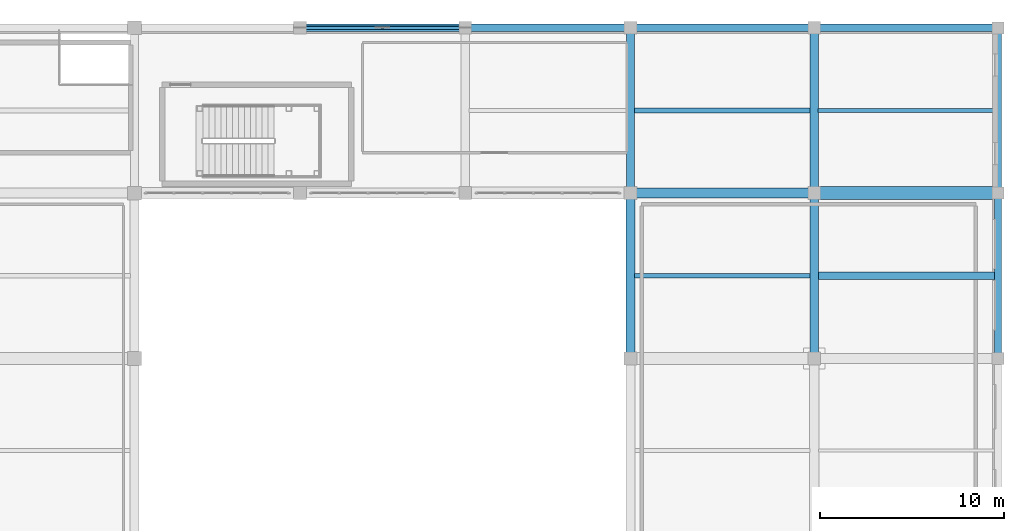
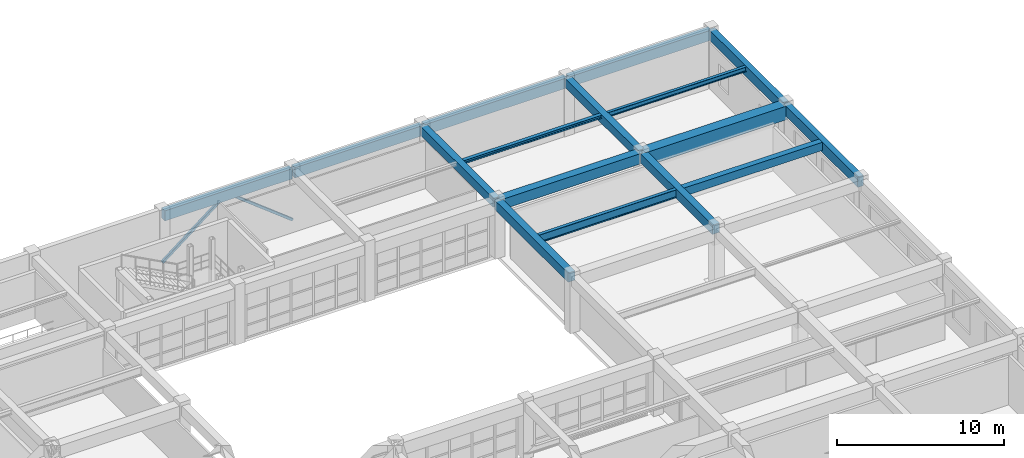
# One storey, part 88 of 133: 16 beams, 2 members.
"""IFC4 building model written with IfcOpenShell, lengths in metres."""

import ifcopenshell
import ifcopenshell.guid

model = None  # the IFC model being written
_history = None  # IfcOwnerHistory: only IFC2X3 demands one
_inside = {}  # id of a spatial element -> (the spatial element, [elements in it])
_under = {}  # id of a project, library or spatial element -> (it, [spatial elements below it])
_declared = {}  # id of a project -> (the project, [libraries it declares])
_typed = {}  # id of a type object -> (the type object, [elements of that type])
_made_of = {}  # id of a material, layer set ... -> (it, [elements and type objects made of it])


def new_model(schema):
    """Start an empty IFC model of exactly this schema.

    Asked for "IFC4X3", IfcOpenShell would pick the latest addendum, in which some entities
    have other attributes; the version numbers below select the first issue.
    IFC2X3 requires an IfcOwnerHistory on every rooted entity: one is made here for all.
    """
    global model, _history
    if schema == "IFC4X3":
        model = ifcopenshell.file(schema_version=(4, 3, 0, 0))
    else:
        model = ifcopenshell.file(schema=schema)
    _inside.clear()
    _under.clear()
    _declared.clear()
    _typed.clear()
    _made_of.clear()
    _history = None
    if model.schema == "IFC2X3":
        org = make("IfcOrganization", Name="unknown")
        user = make(
            "IfcPersonAndOrganization",
            ThePerson=make("IfcPerson", FamilyName="unknown"),
            TheOrganization=org,
        )
        app = make(
            "IfcApplication",
            ApplicationDeveloper=org,
            Version="unknown",
            ApplicationFullName="unknown",
            ApplicationIdentifier="unknown",
        )
        _history = make(
            "IfcOwnerHistory",
            OwningUser=user,
            OwningApplication=app,
            ChangeAction="ADDED",
            CreationDate=0,
        )
    return model


def make(cls, **values):
    """One entity of the class cls with the attributes given. An attribute that is None is left unset."""
    return model.create_entity(
        cls, **{name: value for name, value in values.items() if value is not None}
    )


def rooted(cls, **values):
    """An entity with a GlobalId (a new one), such as an element, a storey or a relation."""
    return make(cls, GlobalId=ifcopenshell.guid.new(), OwnerHistory=_history, **values)


def si_unit(unit_type, name, prefix=None):
    """IfcSIUnit, for example si_unit("LENGTHUNIT", "METRE", prefix="MILLI")."""
    return make("IfcSIUnit", UnitType=unit_type, Prefix=prefix, Name=name)


def assignment(units):
    """IfcUnitAssignment: the units of a project."""
    return None if units is None else make("IfcUnitAssignment", Units=units)


def point(xyz):
    """IfcCartesianPoint."""
    return None if xyz is None else make("IfcCartesianPoint", Coordinates=xyz)


def direction(xyz):
    """IfcDirection."""
    return None if xyz is None else make("IfcDirection", DirectionRatios=xyz)


def frame(location, z_axis=None, x_axis=None):
    """IfcAxis2Placement3D, a coordinate frame: its origin and axes. An axis left out is left unset."""
    return make(
        "IfcAxis2Placement3D",
        Location=point(location),
        Axis=direction(z_axis),
        RefDirection=direction(x_axis),
    )


def frame_2d(location, x_axis=None):
    """IfcAxis2Placement2D, a coordinate frame in the plane: its origin and x axis."""
    return make(
        "IfcAxis2Placement2D", Location=point(location), RefDirection=direction(x_axis)
    )


def origin():
    """The frame at (0, 0, 0) with its axes left unset."""
    return frame((0.0, 0.0, 0.0))


def origin_2d():
    """The frame at (0, 0) in the plane with its x axis left unset."""
    return frame_2d((0.0, 0.0))


def place(relative_to, where):
    """IfcLocalPlacement: puts the frame where relative to a parent placement (None: the world)."""
    return make(
        "IfcLocalPlacement", PlacementRelTo=relative_to, RelativePlacement=where
    )


def context(
    kind, dimensions, precision=None, world=None, true_north=None, identifier=None
):
    """IfcGeometricRepresentationContext, for example the 3D "Model" context."""
    return make(
        "IfcGeometricRepresentationContext",
        ContextIdentifier=identifier,
        ContextType=kind,
        CoordinateSpaceDimension=dimensions,
        Precision=precision,
        WorldCoordinateSystem=world,
        TrueNorth=true_north,
    )


def subcontext(parent, identifier, kind, view, scale=None):
    """IfcGeometricRepresentationSubContext, for example "Body" below "Model"."""
    return make(
        "IfcGeometricRepresentationSubContext",
        ContextIdentifier=identifier,
        ContextType=kind,
        ParentContext=parent,
        TargetScale=scale,
        TargetView=view,
    )


def project(units=None, contexts=None):
    """IfcProject with its units and contexts."""
    return rooted(
        "IfcProject",
        Name="project",
        RepresentationContexts=contexts,
        UnitsInContext=assignment(units),
    )


def spatial(cls, under=None, at=None, **own):
    """A site, building, storey or space (cls), placed at a placement, below another one or the project."""
    s = rooted(cls, ObjectPlacement=at, **own)
    if under is not None:
        _under.setdefault(under.id(), (under, []))[1].append(s)
    return s


def profile(cls, at=None, kind="AREA", **sizes):
    """A parametric profile (cls). Its sizes go by their IFC names, for example OverallWidth=200.0."""
    return make(cls, ProfileType=kind, Position=at, **sizes)


def rectangle(**sizes):
    """IfcRectangleProfileDef."""
    return profile("IfcRectangleProfileDef", **sizes)


def hollow_rectangle(**sizes):
    """IfcRectangleHollowProfileDef."""
    return profile("IfcRectangleHollowProfileDef", **sizes)


def i_section(**sizes):
    """IfcIShapeProfileDef."""
    return profile("IfcIShapeProfileDef", **sizes)


def extrude(swept, where, along, depth):
    """IfcExtrudedAreaSolid: the profile swept, set in the frame where, extruded along a direction by depth."""
    return make(
        "IfcExtrudedAreaSolid",
        SweptArea=swept,
        Position=where,
        ExtrudedDirection=direction(along),
        Depth=depth,
    )


def shape(context_of_items, identifier, shape_type, items):
    """IfcShapeRepresentation: the items that make up one representation, for example the "Body"."""
    return make(
        "IfcShapeRepresentation",
        ContextOfItems=context_of_items,
        RepresentationIdentifier=identifier,
        RepresentationType=shape_type,
        Items=items,
    )


def material(Name=None, Category=None):
    """IfcMaterial."""
    return make("IfcMaterial", Name=Name, Category=Category)


def material_profile(
    of_material, cross_section, Name=None, Category=None, Priority=None
):
    """IfcMaterialProfile: a cross section and its material."""
    return make(
        "IfcMaterialProfile",
        Name=Name,
        Material=of_material,
        Profile=cross_section,
        Priority=Priority,
        Category=Category,
    )


def profile_set(profiles, Name=None, composite=None):
    """IfcMaterialProfileSet."""
    return make(
        "IfcMaterialProfileSet",
        Name=Name,
        MaterialProfiles=profiles,
        CompositeProfile=composite,
    )


def made_of(thing, what):
    """Note that an element or type object is made of a material, layer set ...; save() writes the relation."""
    if what is not None:
        _made_of.setdefault(what.id(), (what, []))[1].append(thing)
    return thing


def type_object(cls, material=None, **own):
    """A type object (cls), such as IfcWallType, which elements share."""
    return made_of(rooted(cls, **own), material)


def element(
    cls,
    number,
    at=None,
    inside=None,
    cuts=None,
    type_object=None,
    material=None,
    context=None,
    identifier="Body",
    shape_type=None,
    held_by="IfcProductDefinitionShape",
    body=None,
    shapes=None,
    **own,
):
    """One element of the class cls, such as IfcWall. Its Tag is "e" and its number.

    at: its placement. inside: the storey or other place that contains it. cuts: it is an
    opening in that element (IfcRelVoidsElement). A single representation is given by context,
    identifier, shape_type and body (its items); several are given by shapes. held_by: the class
    of the entity that holds the representations. save() writes the other relations.
    """
    e = rooted(cls, Tag="e%d" % number, ObjectPlacement=at, **own)
    if body is not None:
        shapes = [shape(context, identifier, shape_type, body)]
    if shapes is not None:
        e.Representation = make(held_by, Representations=shapes)
    if inside is not None:
        _inside.setdefault(inside.id(), (inside, []))[1].append(e)
    if cuts is not None:
        rooted(
            "IfcRelVoidsElement", RelatingBuildingElement=cuts, RelatedOpeningElement=e
        )
    if type_object is not None:
        _typed.setdefault(type_object.id(), (type_object, []))[1].append(e)
    return made_of(e, material)


def aggregate(whole, parts):
    """IfcRelAggregates: a whole, such as a stair, and the parts it consists of."""
    return rooted("IfcRelAggregates", RelatingObject=whole, RelatedObjects=parts)


def save(model, path):
    """Write the relations noted so far, then the file.

    IfcRelAggregates (storeys below a building ...), IfcRelContainedInSpatialStructure (elements
    in a storey), IfcRelDefinesByType, IfcRelAssociatesMaterial and IfcRelDeclares: one each for
    every whole, place, type object, material and project.
    """
    for whole, parts in _under.values():
        aggregate(whole, parts)
    for where, things in _inside.values():
        rooted(
            "IfcRelContainedInSpatialStructure",
            RelatedElements=things,
            RelatingStructure=where,
        )
    for kind, things in _typed.values():
        rooted("IfcRelDefinesByType", RelatedObjects=things, RelatingType=kind)
    for what, things in _made_of.values():
        rooted("IfcRelAssociatesMaterial", RelatedObjects=things, RelatingMaterial=what)
    for by, libraries in _declared.values():
        rooted("IfcRelDeclares", RelatingContext=by, RelatedDefinitions=libraries)
    model.write(path)


model = new_model("IFC4")

# Units and contexts
model_context = context("Model", 3, precision=1e-05, world=origin(), true_north=direction((0.0, 1.0)))
body_context = subcontext(model_context, "Body", "Model", "MODEL_VIEW")
ifc_project = project(units=[si_unit("LENGTHUNIT", "METRE"), si_unit("AREAUNIT", "SQUARE_METRE"), si_unit("VOLUMEUNIT", "CUBIC_METRE"), si_unit("PLANEANGLEUNIT", "RADIAN"), si_unit("MASSUNIT", "GRAM", prefix="KILO")], contexts=[model_context])

# Site, building, storey
site_placement = place(None, origin())
site = spatial("IfcSite", under=ifc_project, at=site_placement, CompositionType="ELEMENT")
building_placement = place(site_placement, origin())
building = spatial("IfcBuilding", under=site, at=building_placement, Name="Miravela Opera House", CompositionType="ELEMENT")
storey_placement = place(building_placement, frame((0.0, 0.0, 5.10009765625)))
storey = spatial("IfcBuildingStorey", under=building, at=storey_placement, Name="L01", CompositionType="ELEMENT", Elevation=5.10009765625)

# Beams
ifc_material_1 = material(Name="Concrete C35/45", Category="concrete")
ifc_material_profile_1 = material_profile(ifc_material_1, rectangle(XDim=0.39990234375, YDim=0.60009765625, at=origin_2d()), Name="RC-BM-400X600")
ifc_profile_set_1 = profile_set([ifc_material_profile_1])
beam_type_1 = type_object("IfcBeamType", Name="STR-BM-RC400X600", PredefinedType="JOIST", material=ifc_profile_set_1)
beam_1_placement = place(storey_placement, frame((154.22509765625, 98.5, 3.85986328125), z_axis=(1.0, 0.0, 0.0), x_axis=(0.0, 1.0, 0.0)))
element("IfcBeam", 1, at=beam_1_placement, inside=storey, type_object=beam_type_1, Name="Secondary Floor Joist L01 18-19/K-L", PredefinedType="JOIST", context=body_context, shape_type="SweptSolid", body=[
    extrude(rectangle(XDim=0.39990234375, YDim=0.60009765625, at=origin_2d()), origin(), (0.0, 0.0, 1.0), 9.58984375),
])
ifc_material_profile_2 = material_profile(ifc_material_1, rectangle(XDim=0.449951171875, YDim=0.64990234375, at=origin_2d()), Name="RC-BM-450X650")
ifc_profile_set_2 = profile_set([ifc_material_profile_2])
beam_type_2 = type_object("IfcBeamType", Name="STR-BM-RC450X650", PredefinedType="BEAM", material=ifc_profile_set_2)
for number, where, z_axis, x_axis, name in (
    (2, (144.0, 103.080078125, 3.8349609375), (0.0, 1.0, 0.0), (-1.0, 0.0, 0.0), "Floor Girder L01 17/L-M"),
    (3, (154.0, 103.080078125, 3.8349609375), (0.0, 1.0, 0.0), (-1.0, 0.0, 0.0), "Floor Girder L01 18/L-M"),
):
    element("IfcBeam", number, at=place(storey_placement, frame(where, z_axis=z_axis, x_axis=x_axis)), inside=storey, type_object=beam_type_2, Name=name, PredefinedType="BEAM", context=body_context, shape_type="SweptSolid", body=[
        extrude(rectangle(XDim=0.449951171875, YDim=0.64990234375, at=origin_2d()), origin(), (0.0, 0.0, 1.0), 8.83984375),
    ])
ifc_material_profile_3 = material_profile(ifc_material_1, rectangle(XDim=0.47998046875, YDim=0.679931640625, at=origin_2d()), Name="RC-BM-480X680")
ifc_profile_set_3 = profile_set([ifc_material_profile_3])
beam_type_3 = type_object("IfcBeamType", Name="STR-BM-RC480X680", PredefinedType="BEAM", material=ifc_profile_set_3)
for number, where, z_axis, x_axis, name in (
    (4, (144.0, 94.080078125, 3.81982421875), (0.0, 1.0, 0.0), (-1.0, 0.0, 0.0), "Floor Girder L01 17/K-L"),
    (5, (154.0, 94.080078125, 3.81982421875), (0.0, 1.0, 0.0), (-1.0, 0.0, 0.0), "Floor Girder L01 18/K-L"),
):
    element("IfcBeam", number, at=place(storey_placement, frame(where, z_axis=z_axis, x_axis=x_axis)), inside=storey, type_object=beam_type_3, Name=name, PredefinedType="BEAM", context=body_context, shape_type="SweptSolid", body=[
        extrude(rectangle(XDim=0.47998046875, YDim=0.679931640625, at=origin_2d()), origin(), (0.0, 0.0, 1.0), 8.83984375),
    ])
ifc_material_profile_4 = material_profile(ifc_material_1, rectangle(XDim=0.550048828125, YDim=0.75, at=origin_2d()), Name="RC-BM-550X750")
ifc_profile_set_4 = profile_set([ifc_material_profile_4])
beam_type_4 = type_object("IfcBeamType", Name="STR-BM-RC550X750", PredefinedType="BEAM", material=ifc_profile_set_4)
beam_2_placement = place(storey_placement, frame((144.080078125, 103.0, 3.784912109375), z_axis=(1.0, 0.0, 0.0), x_axis=(0.0, 1.0, 0.0)))
element("IfcBeam", 6, at=beam_2_placement, inside=storey, type_object=beam_type_4, Name="Floor Girder L01 17-18/L", PredefinedType="BEAM", context=body_context, shape_type="SweptSolid", body=[
    extrude(rectangle(XDim=0.550048828125, YDim=0.75, at=origin_2d()), origin(), (0.0, 0.0, 1.0), 9.83984375),
])
ifc_material_2 = material(Name="Concrete C40/50", Category="concrete")
ifc_material_profile_5 = material_profile(ifc_material_2, rectangle(XDim=0.699951171875, YDim=1.0, at=origin_2d()), Name="RC-BM-700X1000")
ifc_profile_set_5 = profile_set([ifc_material_profile_5])
beam_type_5 = type_object("IfcBeamType", Name="STR-BM-RC700X1000", PredefinedType="BEAM", material=ifc_profile_set_5)
beam_3_placement = place(storey_placement, frame((154.080078125, 103.0, 3.659912109375), z_axis=(1.0, 0.0, 0.0), x_axis=(0.0, 1.0, 0.0)))
element("IfcBeam", 7, at=beam_3_placement, inside=storey, type_object=beam_type_5, Name="Floor Girder L01 18-19/L", PredefinedType="BEAM", context=body_context, shape_type="SweptSolid", body=[
    extrude(rectangle(XDim=0.699951171875, YDim=1.0, at=origin_2d()), origin(), (0.0, 0.0, 1.0), 9.83984375),
])
ifc_material_3 = material(Name="Structural steel ASTM A992 Gr. 50", Category="steel")
ifc_material_profile_6 = material_profile(ifc_material_3, i_section(OverallWidth=0.25390625, OverallDepth=0.2529296875, WebThickness=0.008544921875, FlangeThickness=0.01416015625, FilletRadius=0.011962890625, at=origin_2d()), Name="W250X73")
ifc_profile_set_6 = profile_set([ifc_material_profile_6])
beam_type_6 = type_object("IfcBeamType", Name="STR-BM-W250X73", PredefinedType="JOIST", material=ifc_profile_set_6)
beam_4_placement = place(storey_placement, frame((144.2099609375, 107.5, 4.033447265625), z_axis=(1.0, 0.0, 0.0), x_axis=(0.0, 1.0, 0.0)))
element("IfcBeam", 8, at=beam_4_placement, inside=storey, type_object=beam_type_6, Name="Secondary Floor Joist L01 17-18/L-M", PredefinedType="JOIST", context=body_context, shape_type="SweptSolid", body=[
    extrude(i_section(OverallWidth=0.25390625, OverallDepth=0.2529296875, WebThickness=0.008544921875, FlangeThickness=0.01416015625, FilletRadius=0.011962890625, at=origin_2d()), origin(), (0.0, 0.0, 1.0), 9.580078125),
])
ifc_material_profile_7 = material_profile(ifc_material_3, i_section(OverallWidth=0.2041015625, OverallDepth=0.35009765625, WebThickness=0.008544921875, FlangeThickness=0.01513671875, FilletRadius=0.013916015625, at=origin_2d()), Name="W360X72")
ifc_profile_set_7 = profile_set([ifc_material_profile_7])
beam_type_7 = type_object("IfcBeamType", Name="STR-BM-W360X72", PredefinedType="JOIST", material=ifc_profile_set_7)
beam_5_placement = place(storey_placement, frame((154.2099609375, 107.5, 3.98486328125), z_axis=(1.0, 0.0, 0.0), x_axis=(0.0, 1.0, 0.0)))
element("IfcBeam", 9, at=beam_5_placement, inside=storey, type_object=beam_type_7, Name="Secondary Floor Joist L01 18-19/L-M", PredefinedType="JOIST", context=body_context, shape_type="SweptSolid", body=[
    extrude(i_section(OverallWidth=0.2041015625, OverallDepth=0.35009765625, WebThickness=0.008544921875, FlangeThickness=0.01513671875, FilletRadius=0.013916015625, at=origin_2d()), origin(), (0.0, 0.0, 1.0), 9.60498046875),
])
ifc_material_profile_8 = material_profile(ifc_material_3, i_section(OverallWidth=0.22802734375, OverallDepth=0.60791015625, WebThickness=0.01123046875, FlangeThickness=0.017333984375, FilletRadius=0.01611328125, at=origin_2d()), Name="W610X113")
ifc_profile_set_8 = profile_set([ifc_material_profile_8])
beam_type_8 = type_object("IfcBeamType", Name="STR-BM-W610X113", PredefinedType="BEAM", material=ifc_profile_set_8)
beam_6_placement = place(storey_placement, frame((144.22509765625, 98.5, 3.85595703125), z_axis=(1.0, 0.0, 0.0), x_axis=(0.0, 1.0, 0.0)))
element("IfcBeam", 10, at=beam_6_placement, inside=storey, type_object=beam_type_8, Name="Secondary Floor Joist L01 17-18/K-L", PredefinedType="BEAM", context=body_context, shape_type="SweptSolid", body=[
    extrude(i_section(OverallWidth=0.22802734375, OverallDepth=0.60791015625, WebThickness=0.01123046875, FlangeThickness=0.017333984375, FilletRadius=0.01611328125, at=origin_2d()), origin(), (0.0, 0.0, 1.0), 9.5498046875),
])

# Members
ifc_material_4 = material(Name="Hollow structural steel ASTM A500 Gr. C", Category="steel")
ifc_material_profile_9 = material_profile(ifc_material_4, hollow_rectangle(XDim=0.179931640625, YDim=0.179931640625, WallThickness=0.010009765625, InnerFilletRadius=0.010009765625, OuterFilletRadius=0.02001953125, at=origin_2d()), Name="HSS180X180X10")
ifc_profile_set_9 = profile_set([ifc_material_profile_9])
member_type = type_object("IfcMemberType", Name="STR-MEM-BRACE-HSS180", PredefinedType="BRACE", material=ifc_profile_set_9)
for number, where, z_axis, x_axis, name in (
    (11, (126.0, 112.0, 0.2998046875), (0.788501476184, 0.0, 0.615032862581), (0.0, 1.0, 0.0), "Concentric Braced Frame BF-N3 L01 Left Brace"),
    (12, (135.0, 112.0, 0.2998046875), (-0.788501476184, 0.0, 0.615032862581), (0.0, -1.0, 0.0), "Concentric Braced Frame BF-N3 L01 Right Brace"),
):
    element("IfcMember", number, at=place(storey_placement, frame(where, z_axis=z_axis, x_axis=x_axis)), inside=storey, type_object=member_type, Name=name, PredefinedType="BRACE", context=body_context, shape_type="SweptSolid", body=[
        extrude(hollow_rectangle(XDim=0.179931640625, YDim=0.179931640625, WallThickness=0.010009765625, InnerFilletRadius=0.010009765625, OuterFilletRadius=0.02001953125, at=origin_2d()), origin(), (0.0, 0.0, 1.0), 5.70703125),
    ])

# Beams
ifc_material_profile_10 = material_profile(ifc_material_1, rectangle(XDim=0.39990234375, YDim=0.75, at=origin_2d()), Name="RC-SPN-400X750")
ifc_profile_set_10 = profile_set([ifc_material_profile_10])
beam_type_9 = type_object("IfcBeamType", Name="STR-SPN-RC400X750", PredefinedType="SPANDREL", material=ifc_profile_set_10)
for number, where, z_axis, x_axis, name in (
    (13, (126.080078125, 112.0, 3.784912109375), (1.0, 0.0, 0.0), (0.0, 1.0, 0.0), "Floor Girder L01 15-16/M"),
    (14, (135.080078125, 112.0, 3.784912109375), (1.0, 0.0, 0.0), (0.0, 1.0, 0.0), "Floor Girder L01 16-17/M"),
):
    element("IfcBeam", number, at=place(storey_placement, frame(where, z_axis=z_axis, x_axis=x_axis)), inside=storey, type_object=beam_type_9, Name=name, PredefinedType="SPANDREL", context=body_context, shape_type="SweptSolid", body=[
        extrude(rectangle(XDim=0.39990234375, YDim=0.75, at=origin_2d()), origin(), (0.0, 0.0, 1.0), 8.83984375),
    ])
for number, where, z_axis, x_axis, name in (
    (15, (144.080078125, 112.0, 3.784912109375), (1.0, 0.0, 0.0), (0.0, 1.0, 0.0), "Floor Girder L01 17-18/M"),
    (16, (154.080078125, 112.0, 3.784912109375), (1.0, 0.0, 0.0), (0.0, 1.0, 0.0), "Floor Girder L01 18-19/M"),
):
    element("IfcBeam", number, at=place(storey_placement, frame(where, z_axis=z_axis, x_axis=x_axis)), inside=storey, type_object=beam_type_9, Name=name, PredefinedType="SPANDREL", context=body_context, shape_type="SweptSolid", body=[
        extrude(rectangle(XDim=0.39990234375, YDim=0.75, at=origin_2d()), origin(), (0.0, 0.0, 1.0), 9.83984375),
    ])
for number, where, z_axis, x_axis, name in (
    (17, (164.0, 94.080078125, 3.784912109375), (0.0, 1.0, 0.0), (-1.0, 0.0, 0.0), "Floor Girder L01 19/K-L"),
    (18, (164.0, 103.080078125, 3.784912109375), (0.0, 1.0, 0.0), (-1.0, 0.0, 0.0), "Floor Girder L01 19/L-M"),
):
    element("IfcBeam", number, at=place(storey_placement, frame(where, z_axis=z_axis, x_axis=x_axis)), inside=storey, type_object=beam_type_9, Name=name, PredefinedType="SPANDREL", context=body_context, shape_type="SweptSolid", body=[
        extrude(rectangle(XDim=0.39990234375, YDim=0.75, at=origin_2d()), origin(), (0.0, 0.0, 1.0), 8.83984375),
    ])

save(model, "model.ifc")
